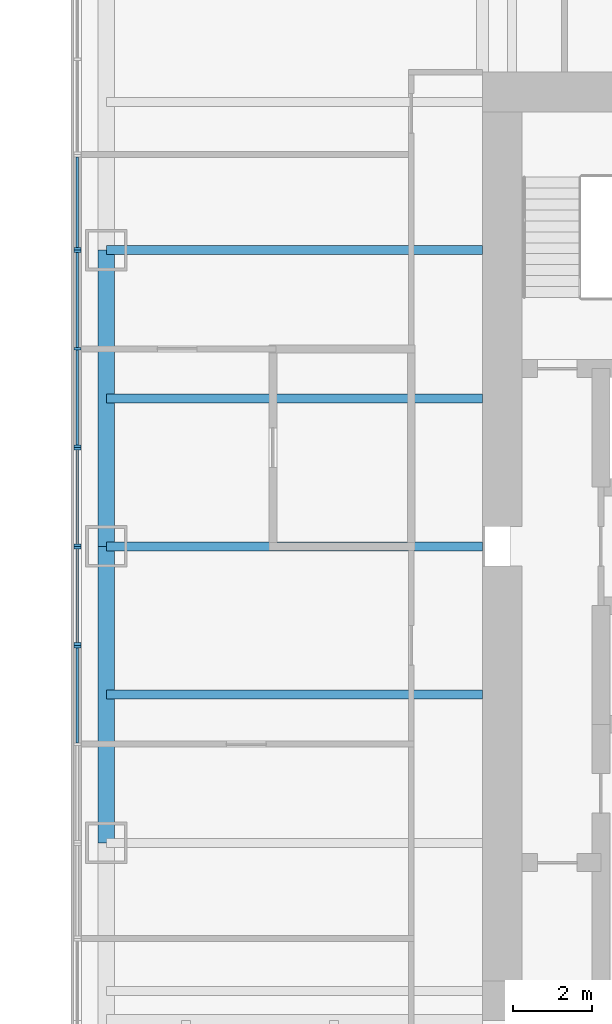
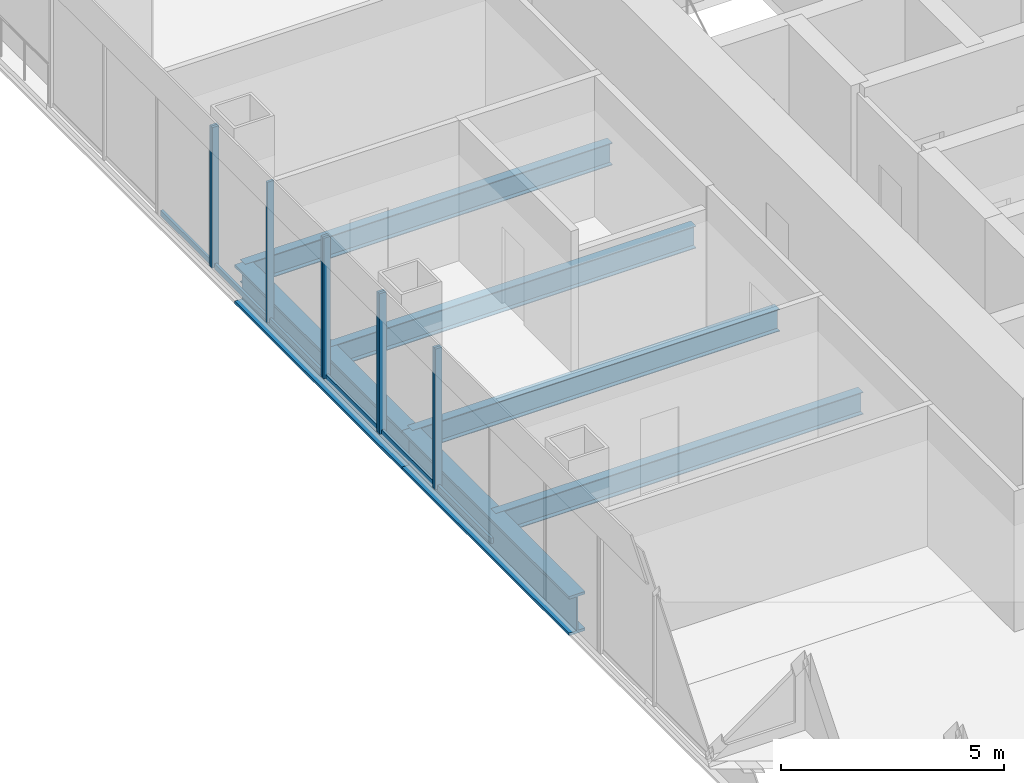
# One storey, part 3 of 13: 15 members, 6 beams, 5 elements without a shape of their own.
"""IFC4 building model written with IfcOpenShell, lengths in metres."""

from ifc_helpers import new_model, si_unit, direction, frame, origin, origin_2d, place, context, subcontext, project, spatial, rectangle, i_section, extrude, material, material_profile, profile_set, type_object, element, aggregate, save


model = new_model("IFC4")

# Units and contexts
model_context = context("Model", 3, precision=1e-05, world=origin(), true_north=direction((0.0, 1.0)))
body_context = subcontext(model_context, "Body", "Model", "MODEL_VIEW")
ifc_project = project(units=[si_unit("LENGTHUNIT", "METRE"), si_unit("AREAUNIT", "SQUARE_METRE"), si_unit("VOLUMEUNIT", "CUBIC_METRE"), si_unit("PLANEANGLEUNIT", "RADIAN"), si_unit("MASSUNIT", "GRAM", prefix="KILO")], contexts=[model_context])

# Site, building, storey
site_placement = place(None, origin())
site = spatial("IfcSite", under=ifc_project, at=site_placement, CompositionType="ELEMENT")
building_placement = place(site_placement, origin())
building = spatial("IfcBuilding", under=site, at=building_placement, Name="Tarangal Relay Tower", CompositionType="ELEMENT")
storey_placement = place(building_placement, frame((0.0, 0.0, 189.89990234375)))
storey = spatial("IfcBuildingStorey", under=building, at=storey_placement, Name="L39", CompositionType="ELEMENT", Elevation=189.89990234375)

# Beams
ifc_material_1 = material(Name="Steel ASTM A992", Category="steel")
ifc_material_profile_1 = material_profile(ifc_material_1, i_section(OverallWidth=0.41650390625, OverallDepth=1.0693359375, WebThickness=0.0390625, FlangeThickness=0.070068359375, at=origin_2d()), Name="W40X503")
ifc_profile_set_1 = profile_set([ifc_material_profile_1], Name="Steel ASTM A992")
beam_type_1 = type_object("IfcBeamType", Name="Edge girder W40X503", PredefinedType="SPANDREL", material=ifc_profile_set_1)
for number, where, z_axis, x_axis, name in (
    (1, (-21.514892578125, -7.5, -0.6845703125), (0.0, 1.0, 0.0), (-1.0, 0.0, 0.0), "Edge girder EG8 W L39"),
    (2, (-21.514892578125, 0.0, -0.6845703125), (0.0, 1.0, 0.0), (-1.0, 0.0, 0.0), "Edge girder EG8 W L39"),
):
    element("IfcBeam", number, at=place(storey_placement, frame(where, z_axis=z_axis, x_axis=x_axis)), inside=storey, type_object=beam_type_1, Name=name, PredefinedType="SPANDREL", context=body_context, shape_type="SweptSolid", body=[
        extrude(i_section(OverallWidth=0.41650390625, OverallDepth=1.0693359375, WebThickness=0.0390625, FlangeThickness=0.070068359375, at=origin_2d()), origin(), (0.0, 0.0, 1.0), 7.5),
    ])
ifc_material_profile_2 = material_profile(ifc_material_1, i_section(OverallWidth=0.22900390625, OverallDepth=0.612060546875, WebThickness=0.011962890625, FlangeThickness=0.01953125, at=origin_2d()), Name="W24X84")
ifc_profile_set_2 = profile_set([ifc_material_profile_2], Name="Steel ASTM A992")
beam_type_2 = type_object("IfcBeamType", Name="Floor beam W24X84", PredefinedType="BEAM", material=ifc_profile_set_2)
for number, where, z_axis, x_axis, name in (
    (3, (-12.0, -3.75, -0.455810546875), (-1.0, 0.0, 0.0), (0.0, -1.0, 0.0), "Floor beam RB12 W L39"),
    (4, (-12.0, 0.0, -0.455810546875), (-1.0, 0.0, 0.0), (0.0, -1.0, 0.0), "Floor beam RB12 W L39"),
    (5, (-12.0, 3.75, -0.455810546875), (-1.0, 0.0, 0.0), (0.0, -1.0, 0.0), "Floor beam RB12 W L39"),
    (6, (-12.0, 7.5, -0.455810546875), (-1.0, 0.0, 0.0), (0.0, -1.0, 0.0), "Floor beam RB12 W L39"),
):
    element("IfcBeam", number, at=place(storey_placement, frame(where, z_axis=z_axis, x_axis=x_axis)), inside=storey, type_object=beam_type_2, Name=name, PredefinedType="BEAM", context=body_context, shape_type="SweptSolid", body=[
        extrude(i_section(OverallWidth=0.22900390625, OverallDepth=0.612060546875, WebThickness=0.011962890625, FlangeThickness=0.01953125, at=origin_2d()), origin(), (0.0, 0.0, 1.0), 9.514892578125),
    ])

# Curtain wall, members
ifc_material_2 = material(Name="Unitised curtain wall, dark glass and black aluminium", Category="aluminium")
curtain_wall_type_1 = type_object("IfcCurtainWallType", Name="Curtain wall CW-A", PredefinedType="USERDEFINED", material=ifc_material_2)
curtain_wall_1_placement = place(storey_placement, origin())
curtain_wall_1 = element("IfcCurtainWall", 7, at=curtain_wall_1_placement, inside=storey, type_object=curtain_wall_type_1, Name="Curtain wall CW-A W facade L39", ObjectType="UNITISED CURTAIN WALL", PredefinedType="USERDEFINED")
ifc_material_3 = material(Name="Black anodised aluminium mullion", Category="aluminium")
ifc_material_profile_3 = material_profile(ifc_material_3, rectangle(XDim=0.175048828125, YDim=0.06494140625, at=origin_2d()), Name="CW-AM 65X175")
ifc_profile_set_3 = profile_set([ifc_material_profile_3], Name="Black anodised aluminium mullion")
member_type_1 = type_object("IfcMemberType", Name="Mullion CW-A 65 x 175", PredefinedType="MULLION", material=ifc_profile_set_3)
member_1_placement = place(storey_placement, frame((-22.25, -2.467529296875, 0.0), z_axis=(0.0, 0.0, 1.0), x_axis=(-1.0, 0.0, 0.0)))
member_1 = element("IfcMember", 8, at=member_1_placement, type_object=member_type_1, Name="CW-A mullion 1", PredefinedType="MULLION", context=body_context, shape_type="SweptSolid", body=[
    extrude(rectangle(XDim=0.175048828125, YDim=0.06494140625, at=origin_2d()), origin(), (0.0, 0.0, 1.0), 3.85009765625),
])
member_2_placement = place(storey_placement, frame((-22.25, -0.032470703125, 0.0), z_axis=(0.0, 0.0, 1.0), x_axis=(-1.0, 0.0, 0.0)))
member_2 = element("IfcMember", 9, at=member_2_placement, type_object=member_type_1, Name="CW-A mullion 2", PredefinedType="MULLION", context=body_context, shape_type="SweptSolid", body=[
    extrude(rectangle(XDim=0.175048828125, YDim=0.06494140625, at=origin_2d()), origin(), (0.0, 0.0, 1.0), 3.85009765625),
])

curtain_wall_2_placement = place(storey_placement, origin())
curtain_wall_2 = element("IfcCurtainWall", 10, at=curtain_wall_2_placement, inside=storey, type_object=curtain_wall_type_1, Name="Curtain wall CW-A W facade L39", ObjectType="UNITISED CURTAIN WALL", PredefinedType="USERDEFINED")
member_3_placement = place(storey_placement, frame((-22.25, 0.032470703125, 0.0), z_axis=(0.0, 0.0, 1.0), x_axis=(-1.0, 0.0, 0.0)))
member_3 = element("IfcMember", 11, at=member_3_placement, type_object=member_type_1, Name="CW-A mullion 1", PredefinedType="MULLION", context=body_context, shape_type="SweptSolid", body=[
    extrude(rectangle(XDim=0.175048828125, YDim=0.06494140625, at=origin_2d()), origin(), (0.0, 0.0, 1.0), 3.85009765625),
])
member_4_placement = place(storey_placement, frame((-22.25, 2.467529296875, 0.0), z_axis=(0.0, 0.0, 1.0), x_axis=(-1.0, 0.0, 0.0)))
member_4 = element("IfcMember", 12, at=member_4_placement, type_object=member_type_1, Name="CW-A mullion 2", PredefinedType="MULLION", context=body_context, shape_type="SweptSolid", body=[
    extrude(rectangle(XDim=0.175048828125, YDim=0.06494140625, at=origin_2d()), origin(), (0.0, 0.0, 1.0), 3.85009765625),
])

# Curtain wall, member
ifc_material_4 = material(Name="Unitised curtain wall frame, black aluminium, with metal clad infill walls", Category="aluminium")
curtain_wall_type_2 = type_object("IfcCurtainWallType", Name="Curtain wall CW-AO", PredefinedType="USERDEFINED", material=ifc_material_4)
curtain_wall_3_placement = place(storey_placement, origin())
curtain_wall_3 = element("IfcCurtainWall", 13, at=curtain_wall_3_placement, inside=storey, type_object=curtain_wall_type_2, Name="Curtain wall CW-AO W facade L39", ObjectType="UNITISED CURTAIN WALL", PredefinedType="USERDEFINED")
ifc_material_profile_4 = material_profile(ifc_material_3, rectangle(XDim=0.175048828125, YDim=0.06494140625, at=origin_2d()), Name="CW-AOM 65X175")
ifc_profile_set_4 = profile_set([ifc_material_profile_4], Name="Black anodised aluminium mullion")
member_type_2 = type_object("IfcMemberType", Name="Mullion CW-AO 65 x 175", PredefinedType="MULLION", material=ifc_profile_set_4)
member_5_placement = place(storey_placement, frame((-22.25, -2.532470703125, 0.0), z_axis=(0.0, 0.0, 1.0), x_axis=(-1.0, 0.0, 0.0)))
member_5 = element("IfcMember", 14, at=member_5_placement, type_object=member_type_2, Name="CW-AO mullion 3", PredefinedType="MULLION", context=body_context, shape_type="SweptSolid", body=[
    extrude(rectangle(XDim=0.175048828125, YDim=0.06494140625, at=origin_2d()), origin(), (0.0, 0.0, 1.0), 3.85009765625),
])

# Curtain wall, members
curtain_wall_4_placement = place(storey_placement, origin())
curtain_wall_4 = element("IfcCurtainWall", 15, at=curtain_wall_4_placement, inside=storey, type_object=curtain_wall_type_2, Name="Curtain wall CW-AO W facade L39", ObjectType="UNITISED CURTAIN WALL", PredefinedType="USERDEFINED")
member_6_placement = place(storey_placement, frame((-22.25, 2.532470703125, 0.0), z_axis=(0.0, 0.0, 1.0), x_axis=(-1.0, 0.0, 0.0)))
member_6 = element("IfcMember", 16, at=member_6_placement, type_object=member_type_2, Name="CW-AO mullion 1", PredefinedType="MULLION", context=body_context, shape_type="SweptSolid", body=[
    extrude(rectangle(XDim=0.175048828125, YDim=0.06494140625, at=origin_2d()), origin(), (0.0, 0.0, 1.0), 3.85009765625),
])
member_7_placement = place(storey_placement, frame((-22.25, 5.0, 0.0), z_axis=(0.0, 0.0, 1.0), x_axis=(-1.0, 0.0, 0.0)))
member_7 = element("IfcMember", 17, at=member_7_placement, type_object=member_type_2, Name="CW-AO mullion 2", PredefinedType="MULLION", context=body_context, shape_type="SweptSolid", body=[
    extrude(rectangle(XDim=0.175048828125, YDim=0.06494140625, at=origin_2d()), origin(), (0.0, 0.0, 1.0), 3.85009765625),
])
member_8_placement = place(storey_placement, frame((-22.25, 7.467529296875, 0.0), z_axis=(0.0, 0.0, 1.0), x_axis=(-1.0, 0.0, 0.0)))
member_8 = element("IfcMember", 18, at=member_8_placement, type_object=member_type_2, Name="CW-AO mullion 3", PredefinedType="MULLION", context=body_context, shape_type="SweptSolid", body=[
    extrude(rectangle(XDim=0.175048828125, YDim=0.06494140625, at=origin_2d()), origin(), (0.0, 0.0, 1.0), 3.85009765625),
])

# Curtain wall, member
curtain_wall_5_placement = place(storey_placement, origin())
curtain_wall_5 = element("IfcCurtainWall", 19, at=curtain_wall_5_placement, inside=storey, type_object=curtain_wall_type_2, Name="Curtain wall CW-AO W facade L39", ObjectType="UNITISED CURTAIN WALL", PredefinedType="USERDEFINED")
member_9_placement = place(storey_placement, frame((-22.25, 7.532470703125, 0.0), z_axis=(0.0, 0.0, 1.0), x_axis=(-1.0, 0.0, 0.0)))
member_9 = element("IfcMember", 20, at=member_9_placement, type_object=member_type_2, Name="CW-AO mullion 1", PredefinedType="MULLION", context=body_context, shape_type="SweptSolid", body=[
    extrude(rectangle(XDim=0.175048828125, YDim=0.06494140625, at=origin_2d()), origin(), (0.0, 0.0, 1.0), 3.85009765625),
])

# Member
ifc_material_5 = material(Name="Black anodised aluminium transom", Category="aluminium")
ifc_material_profile_5 = material_profile(ifc_material_5, rectangle(XDim=0.06494140625, YDim=0.14990234375, at=origin_2d()), Name="CW-AT 65X150")
ifc_profile_set_5 = profile_set([ifc_material_profile_5], Name="Black anodised aluminium transom")
member_type_3 = type_object("IfcMemberType", Name="Transom CW-A 65 x 150", PredefinedType="USERDEFINED", material=ifc_profile_set_5)
member_10_placement = place(storey_placement, frame((-22.25, -2.43505859375, 0.03271484375), z_axis=(0.0, 1.0, 0.0), x_axis=(-1.0, 0.0, 0.0)))
member_10 = element("IfcMember", 21, at=member_10_placement, type_object=member_type_3, Name="CW-A transom 1.1", ObjectType="TRANSOM", PredefinedType="USERDEFINED", context=body_context, shape_type="SweptSolid", body=[
    extrude(rectangle(XDim=0.06494140625, YDim=0.14990234375, at=origin_2d()), origin(), (0.0, 0.0, 1.0), 2.3701171875),
])

aggregate(curtain_wall_1, [member_1, member_2, member_10])

member_11_placement = place(storey_placement, frame((-22.25, 0.06494140625, 0.03271484375), z_axis=(0.0, 1.0, 0.0), x_axis=(-1.0, 0.0, 0.0)))
member_11 = element("IfcMember", 22, at=member_11_placement, type_object=member_type_3, Name="CW-A transom 1.1", ObjectType="TRANSOM", PredefinedType="USERDEFINED", context=body_context, shape_type="SweptSolid", body=[
    extrude(rectangle(XDim=0.06494140625, YDim=0.14990234375, at=origin_2d()), origin(), (0.0, 0.0, 1.0), 2.3701171875),
])

aggregate(curtain_wall_2, [member_3, member_4, member_11])

ifc_material_profile_6 = material_profile(ifc_material_5, rectangle(XDim=0.06494140625, YDim=0.14990234375, at=origin_2d()), Name="CW-AOT 65X150")
ifc_profile_set_6 = profile_set([ifc_material_profile_6], Name="Black anodised aluminium transom")
member_type_4 = type_object("IfcMemberType", Name="Transom CW-AO 65 x 150", PredefinedType="USERDEFINED", material=ifc_profile_set_6)
member_12_placement = place(storey_placement, frame((-22.25, -4.967529296875, 0.03271484375), z_axis=(0.0, 1.0, 0.0), x_axis=(-1.0, 0.0, 0.0)))
member_12 = element("IfcMember", 23, at=member_12_placement, type_object=member_type_4, Name="CW-AO transom 2.1", ObjectType="TRANSOM", PredefinedType="USERDEFINED", context=body_context, shape_type="SweptSolid", body=[
    extrude(rectangle(XDim=0.06494140625, YDim=0.14990234375, at=origin_2d()), origin(), (0.0, 0.0, 1.0), 2.402587890625),
])

aggregate(curtain_wall_3, [member_5, member_12])

member_13_placement = place(storey_placement, frame((-22.25, 2.56494140625, 0.03271484375), z_axis=(0.0, 1.0, 0.0), x_axis=(-1.0, 0.0, 0.0)))
member_13 = element("IfcMember", 24, at=member_13_placement, type_object=member_type_4, Name="CW-AO transom 1.1", ObjectType="TRANSOM", PredefinedType="USERDEFINED", context=body_context, shape_type="SweptSolid", body=[
    extrude(rectangle(XDim=0.06494140625, YDim=0.14990234375, at=origin_2d()), origin(), (0.0, 0.0, 1.0), 2.402587890625),
])

member_14_placement = place(storey_placement, frame((-22.25, 5.032470703125, 0.03271484375), z_axis=(0.0, 1.0, 0.0), x_axis=(-1.0, 0.0, 0.0)))
member_14 = element("IfcMember", 25, at=member_14_placement, type_object=member_type_4, Name="CW-AO transom 2.1", ObjectType="TRANSOM", PredefinedType="USERDEFINED", context=body_context, shape_type="SweptSolid", body=[
    extrude(rectangle(XDim=0.06494140625, YDim=0.14990234375, at=origin_2d()), origin(), (0.0, 0.0, 1.0), 2.402587890625),
])

aggregate(curtain_wall_4, [member_6, member_7, member_8, member_13, member_14])

member_15_placement = place(storey_placement, frame((-22.25, 7.56494140625, 0.03271484375), z_axis=(0.0, 1.0, 0.0), x_axis=(-1.0, 0.0, 0.0)))
member_15 = element("IfcMember", 26, at=member_15_placement, type_object=member_type_4, Name="CW-AO transom 1.1", ObjectType="TRANSOM", PredefinedType="USERDEFINED", context=body_context, shape_type="SweptSolid", body=[
    extrude(rectangle(XDim=0.06494140625, YDim=0.14990234375, at=origin_2d()), origin(), (0.0, 0.0, 1.0), 2.286865234375),
])

aggregate(curtain_wall_5, [member_9, member_15])

save(model, "model.ifc")
